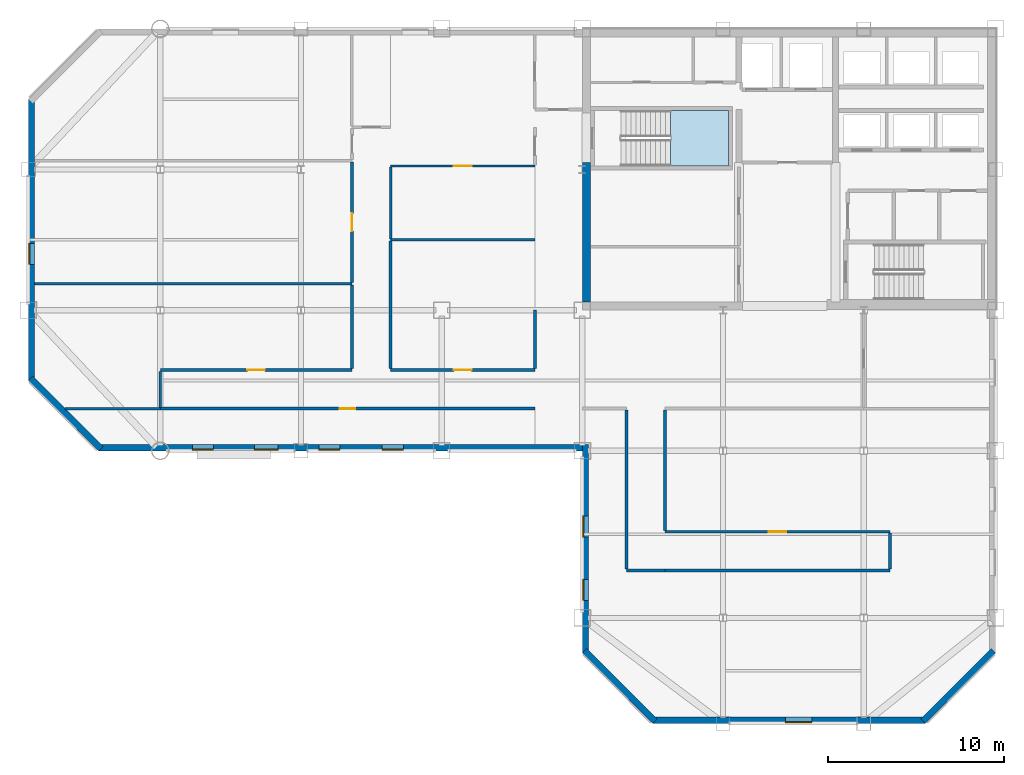
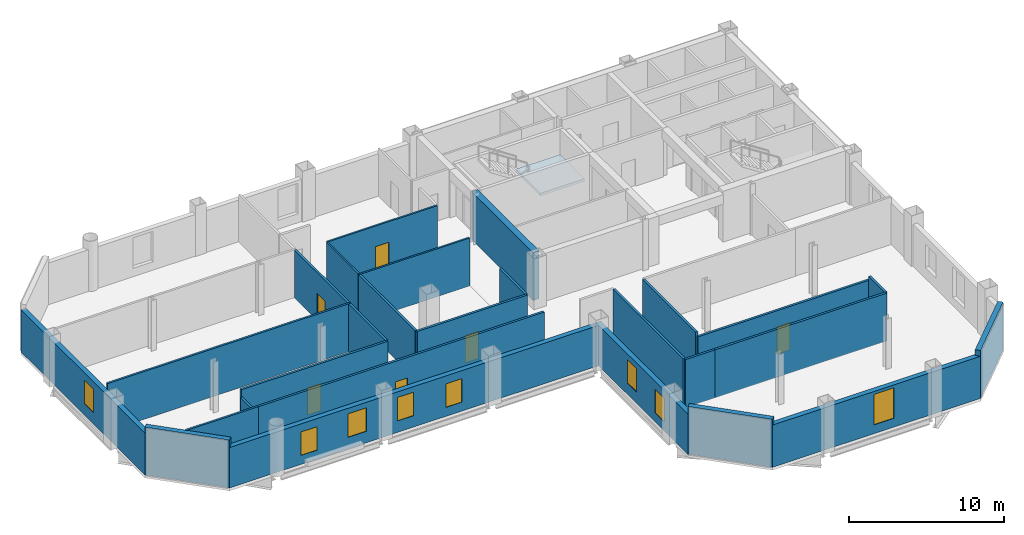
# One storey, part 4 of 10: 27 walls, 8 windows, 6 doors, 1 slab, 14 openings, 1 element without a shape of its own.
"""IFC4 building model written with IfcOpenShell, lengths in metres."""

from ifc_helpers import new_model, si_unit, direction, frame, frame_2d, origin, place, context, subcontext, project, spatial, polyline, rectangle, outline, extrude, material, layer, layer_set, type_object, element, fill, aggregate, save


model = new_model("IFC4")

# Units and contexts
model_context = context("Model", 3, precision=1e-05, world=origin(), true_north=direction((0.0, 1.0)))
body_context = subcontext(model_context, "Body", "Model", "MODEL_VIEW")
ifc_project = project(units=[si_unit("LENGTHUNIT", "METRE"), si_unit("AREAUNIT", "SQUARE_METRE"), si_unit("VOLUMEUNIT", "CUBIC_METRE"), si_unit("PLANEANGLEUNIT", "RADIAN"), si_unit("MASSUNIT", "GRAM", prefix="KILO")], contexts=[model_context])

# Site, building, storey
site_placement = place(None, origin())
site = spatial("IfcSite", under=ifc_project, at=site_placement, CompositionType="ELEMENT")
building_placement = place(site_placement, origin())
building = spatial("IfcBuilding", under=site, at=building_placement, Name="Qianrong Seaharbour Tower", CompositionType="ELEMENT")
storey_placement = place(building_placement, frame((0.0, 0.0, 257.800048828125)))
storey = spatial("IfcBuildingStorey", under=building, at=storey_placement, Name="L62", CompositionType="ELEMENT", Elevation=257.800048828125)

# Stair, slab
ifc_material_1 = material(Name="Concrete C50/60", Category="concrete")
stair_type = type_object("IfcStairType", Name="STAIR-DOGLEG-1500-R22", PredefinedType="HALF_TURN_STAIR", material=ifc_material_1)
stair_placement = place(storey_placement, origin())
stair = element("IfcStair", 1, at=stair_placement, inside=storey, type_object=stair_type, Name="L62 Protected Escape Stair ST-1", PredefinedType="HALF_TURN_STAIR")
ifc_layer_1 = layer(ifc_material_1, 0.199951171875)
ifc_layer_set_1 = layer_set([ifc_layer_1], Name="Concrete C50/60")
slab_type = type_object("IfcSlabType", Name="SLAB-STAIR-LANDING-200", PredefinedType="LANDING", material=ifc_layer_set_1)
slab_placement = place(storey_placement, frame((0.0, 0.0, 1.800048828125)))
slab = element("IfcSlab", 2, at=slab_placement, type_object=slab_type, Name="ST-1 landing 1", PredefinedType="LANDING", context=body_context, shape_type="SweptSolid", body=[
    extrude(outline(polyline([(45.5, 44.199951171875), (48.800048828125, 44.199951171875), (48.800048828125, 47.35009765625), (45.5, 47.35009765625), (45.5, 44.199951171875)])), origin(), (0.0, 0.0, 1.0), 0.199951171875),
])
aggregate(stair, [slab])

# Walls
ifc_material_2 = material(Name="Concrete C60/75", Category="concrete")
ifc_layer_2 = layer(ifc_material_2, 0.4599609375)
ifc_layer_set_2 = layer_set([ifc_layer_2], Name="Concrete C60/75")
wall_type_1 = type_object("IfcWallType", Name="WALL-CORE-460", PredefinedType="SHEAR", material=ifc_layer_set_2)
wall_1_placement = place(storey_placement, frame((40.72998046875, 36.4599609375, 0.0), z_axis=(0.0, 0.0, 1.0), x_axis=(0.0, 1.0, 0.0)))
element("IfcWall", 3, at=wall_1_placement, inside=storey, type_object=wall_type_1, Name="L62 West Core Shear Wall South", PredefinedType="SHEAR", context=body_context, shape_type="SweptSolid", body=[
    extrude(rectangle(XDim=7.93994140625, YDim=0.4599609375, at=frame_2d((3.969970703125, 0.0))), origin(), (0.0, 0.0, 1.0), 3.77490234375),
])
ifc_material_3 = material(Name="Fire-rated acoustic gypsum board partition")
ifc_layer_3 = layer(ifc_material_3, 0.1650390625)
ifc_layer_set_3 = layer_set([ifc_layer_3], Name="Fire-rated acoustic gypsum board partition")
wall_type_2 = type_object("IfcWallType", Name="WALL-CORR-PART-165", PredefinedType="PARTITIONING", material=ifc_layer_set_3)
wall_2_placement = place(storey_placement, frame((16.5, 30.474609375, 0.0), z_axis=(0.0, 0.0, 1.0), x_axis=(0.0, 1.0, 0.0)))
element("IfcWall", 4, at=wall_2_placement, inside=storey, type_object=wall_type_2, Name="L62 Interior Partition Wall 017", PredefinedType="PARTITIONING", context=body_context, shape_type="SweptSolid", body=[
    extrude(rectangle(XDim=2.05078125, YDim=0.1650390625, at=frame_2d((1.025390625, 0.0))), origin(), (0.0, 0.0, 1.0), 3.178955078125),
])

# Wall, opening, door
wall_3_placement = place(storey_placement, frame((16.5, 32.60009765625, 0.0), z_axis=(0.0, 0.0, 1.0), x_axis=(1.0, 0.0, 0.0)))
wall_3 = element("IfcWall", 5, at=wall_3_placement, inside=storey, type_object=wall_type_2, Name="L62 Interior Partition Wall 018", PredefinedType="PARTITIONING", context=body_context, shape_type="SweptSolid", body=[
    extrude(rectangle(XDim=10.89990234375, YDim=0.1650390625, at=frame_2d((5.449951171875, 0.0))), origin(), (0.0, 0.0, 1.0), 3.77490234375),
])
opening_1_placement = place(wall_3_placement, frame((4.949951171875, 0.0, 0.0)))
opening_1 = element("IfcOpeningElement", 6, at=opening_1_placement, cuts=wall_3, Name="Opening DO-01", PredefinedType="OPENING", context=body_context, shape_type="SweptSolid", body=[
    extrude(rectangle(XDim=1.0, YDim=2.14990234375, at=frame_2d((0.5, 1.074951171875))), frame((0.0, 0.092529296875, 0.0), z_axis=(0.0, -1.0, 0.0), x_axis=(1.0, 0.0, 0.0)), (0.0, 0.0, 1.0), 0.18505859375),
])
ifc_material_4 = material(Name="Acoustic timber and galvanized steel fire door assembly", Category="steel")
door_type_1 = type_object("IfcDoorType", Name="DOOR-OFFICE-1000x2150", OperationType="NOTDEFINED", PredefinedType="DOOR", material=ifc_material_4)
door_1_placement = place(opening_1_placement, origin())
door_1 = element("IfcDoor", 7, at=door_1_placement, inside=storey, type_object=door_type_1, Name="L62 Occupational Health Clinic 1 Door", OperationType="SINGLE_SWING_LEFT", OverallHeight=2.14990234375, OverallWidth=1.0, PredefinedType="DOOR", context=body_context, shape_type="SweptSolid", body=[
    extrude(rectangle(XDim=1.0, YDim=2.14990234375, at=frame_2d((0.5, 1.074951171875))), frame((0.0, 0.02490234375, 0.0), z_axis=(0.0, -1.0, 0.0), x_axis=(1.0, 0.0, 0.0)), (0.0, 0.0, 1.0), 0.050048828125),
])
fill(opening_1, door_1)

wall_4_placement = place(storey_placement, frame((29.60009765625, 32.60009765625, 0.0), z_axis=(0.0, 0.0, 1.0), x_axis=(1.0, 0.0, 0.0)))
wall_4 = element("IfcWall", 8, at=wall_4_placement, inside=storey, type_object=wall_type_2, Name="L62 Interior Partition Wall 019", PredefinedType="PARTITIONING", context=body_context, shape_type="SweptSolid", body=[
    extrude(rectangle(XDim=8.199951171875, YDim=0.1650390625, at=frame_2d((4.10009765625, 0.0))), origin(), (0.0, 0.0, 1.0), 3.77490234375),
])
opening_2_placement = place(wall_4_placement, frame((3.60009765625, 0.0, 0.0)))
opening_2 = element("IfcOpeningElement", 9, at=opening_2_placement, cuts=wall_4, Name="Opening DO-01", PredefinedType="OPENING", context=body_context, shape_type="SweptSolid", body=[
    extrude(rectangle(XDim=1.0, YDim=2.14990234375, at=frame_2d((0.5, 1.074951171875))), frame((0.0, 0.092529296875, 0.0), z_axis=(0.0, -1.0, 0.0), x_axis=(1.0, 0.0, 0.0)), (0.0, 0.0, 1.0), 0.18505859375),
])
door_2_placement = place(opening_2_placement, origin())
door_2 = element("IfcDoor", 10, at=door_2_placement, inside=storey, type_object=door_type_1, Name="L62 Medical Examination Room 1 Door", OperationType="SINGLE_SWING_LEFT", OverallHeight=2.14990234375, OverallWidth=1.0, PredefinedType="DOOR", context=body_context, shape_type="SweptSolid", body=[
    extrude(rectangle(XDim=1.0, YDim=2.14990234375, at=frame_2d((0.5, 1.074951171875))), frame((0.0, 0.02490234375, 0.0), z_axis=(0.0, -1.0, 0.0), x_axis=(1.0, 0.0, 0.0)), (0.0, 0.0, 1.0), 0.050048828125),
])
fill(opening_2, door_2)

wall_5_placement = place(storey_placement, frame((37.800048828125, 30.39990234375, 0.0), z_axis=(0.0, 0.0, 1.0), x_axis=(-1.0, 0.0, 0.0)))
wall_5 = element("IfcWall", 11, at=wall_5_placement, inside=storey, type_object=wall_type_2, Name="L62 Interior Partition Wall 020", PredefinedType="PARTITIONING", context=body_context, shape_type="SweptSolid", body=[
    extrude(rectangle(XDim=21.300048828125, YDim=0.1650390625, at=frame_2d((10.64990234375, 0.0))), origin(), (0.0, 0.0, 1.0), 3.77490234375),
])
opening_3_placement = place(wall_5_placement, frame((10.199951171875, 0.0, 0.0)))
opening_3 = element("IfcOpeningElement", 12, at=opening_3_placement, cuts=wall_5, Name="Opening DS-01", PredefinedType="OPENING", context=body_context, shape_type="SweptSolid", body=[
    extrude(rectangle(XDim=0.89990234375, YDim=2.14990234375, at=frame_2d((0.449951171875, 1.074951171875))), frame((0.0, 0.092529296875, 0.0), z_axis=(0.0, -1.0, 0.0), x_axis=(1.0, 0.0, 0.0)), (0.0, 0.0, 1.0), 0.18505859375),
])
door_type_2 = type_object("IfcDoorType", Name="DOOR-STORE-900x2150", OperationType="NOTDEFINED", PredefinedType="DOOR", material=ifc_material_4)
door_3_placement = place(opening_3_placement, origin())
door_3 = element("IfcDoor", 13, at=door_3_placement, inside=storey, type_object=door_type_2, Name="L62 Clinical Dispensary Store Door", OperationType="SINGLE_SWING_LEFT", OverallHeight=2.14990234375, OverallWidth=0.89990234375, PredefinedType="DOOR", context=body_context, shape_type="SweptSolid", body=[
    extrude(rectangle(XDim=0.89990234375, YDim=2.14990234375, at=frame_2d((0.449951171875, 1.074951171875))), frame((0.0, 0.02490234375, 0.0), z_axis=(0.0, -1.0, 0.0), x_axis=(1.0, 0.0, 0.0)), (0.0, 0.0, 1.0), 0.050048828125),
])
fill(opening_3, door_3)

# Wall
wall_6_placement = place(storey_placement, frame((27.39990234375, 32.674560546875, 0.0), z_axis=(0.0, 0.0, 1.0), x_axis=(0.0, 1.0, 0.0)))
element("IfcWall", 14, at=wall_6_placement, inside=storey, type_object=wall_type_2, Name="L62 Interior Partition Wall 021", PredefinedType="PARTITIONING", context=body_context, shape_type="SweptSolid", body=[
    extrude(rectangle(XDim=4.760986328125, YDim=0.1650390625, at=frame_2d((2.38037109375, 0.0))), origin(), (0.0, 0.0, 1.0), 3.77490234375),
])

# Wall, opening, door
wall_7_placement = place(storey_placement, frame((27.39990234375, 37.564453125, 0.0), z_axis=(0.0, 0.0, 1.0), x_axis=(0.0, 1.0, 0.0)))
wall_7 = element("IfcWall", 15, at=wall_7_placement, inside=storey, type_object=wall_type_2, Name="L62 Interior Partition Wall 022", PredefinedType="PARTITIONING", context=body_context, shape_type="SweptSolid", body=[
    extrude(rectangle(XDim=6.87109375, YDim=0.1650390625, at=frame_2d((3.435546875, 0.0))), origin(), (0.0, 0.0, 1.0), 3.77490234375),
])
opening_4_placement = place(wall_7_placement, frame((2.935546875, 0.0, 0.0)))
opening_4 = element("IfcOpeningElement", 16, at=opening_4_placement, cuts=wall_7, Name="Opening DO-01", PredefinedType="OPENING", context=body_context, shape_type="SweptSolid", body=[
    extrude(rectangle(XDim=1.0, YDim=2.14990234375, at=frame_2d((0.5, 1.074951171875))), frame((0.0, 0.092529296875, 0.0), z_axis=(0.0, -1.0, 0.0), x_axis=(1.0, 0.0, 0.0)), (0.0, 0.0, 1.0), 0.18505859375),
])
door_4_placement = place(opening_4_placement, origin())
door_4 = element("IfcDoor", 17, at=door_4_placement, inside=storey, type_object=door_type_1, Name="L62 Physiotherapy Room 2 Door", OperationType="SINGLE_SWING_RIGHT", OverallHeight=2.14990234375, OverallWidth=1.0, PredefinedType="DOOR", context=body_context, shape_type="SweptSolid", body=[
    extrude(rectangle(XDim=1.0, YDim=2.14990234375, at=frame_2d((0.5, 1.074951171875))), frame((0.0, 0.02490234375, 0.0), z_axis=(0.0, -1.0, 0.0), x_axis=(1.0, 0.0, 0.0)), (0.0, 0.0, 1.0), 0.050048828125),
])
fill(opening_4, door_4)

# Walls
wall_8_placement = place(storey_placement, frame((29.60009765625, 39.943115234375, 0.0), z_axis=(0.0, 0.0, 1.0), x_axis=(0.0, -1.0, 0.0)))
element("IfcWall", 18, at=wall_8_placement, inside=storey, type_object=wall_type_2, Name="L62 Interior Partition Wall 025", PredefinedType="PARTITIONING", context=body_context, shape_type="SweptSolid", body=[
    extrude(rectangle(XDim=7.2685546875, YDim=0.1650390625, at=frame_2d((3.63427734375, 0.0))), origin(), (0.0, 0.0, 1.0), 3.77490234375),
])
wall_9_placement = place(storey_placement, frame((37.800048828125, 32.674560546875, 0.0), z_axis=(0.0, 0.0, 1.0), x_axis=(0.0, 1.0, 0.0)))
element("IfcWall", 19, at=wall_9_placement, inside=storey, type_object=wall_type_2, Name="L62 Interior Partition Wall 031", PredefinedType="PARTITIONING", context=body_context, shape_type="SweptSolid", body=[
    extrude(rectangle(XDim=3.325439453125, YDim=0.1650390625, at=frame_2d((1.66259765625, 0.0))), origin(), (0.0, 0.0, 1.0), 3.77490234375),
])
wall_10_placement = place(storey_placement, frame((45.199951171875, 21.199951171875, 0.0), z_axis=(0.0, 0.0, 1.0), x_axis=(-1.0, 0.0, 0.0)))
element("IfcWall", 20, at=wall_10_placement, inside=storey, type_object=wall_type_2, Name="L62 Interior Partition Wall 032", PredefinedType="PARTITIONING", context=body_context, shape_type="SweptSolid", body=[
    extrude(rectangle(XDim=2.199951171875, YDim=0.1650390625, at=frame_2d((1.10009765625, 0.0))), origin(), (0.0, 0.0, 1.0), 3.77490234375),
])
wall_11_placement = place(storey_placement, frame((43.0, 21.2744140625, 0.0), z_axis=(0.0, 0.0, 1.0), x_axis=(0.0, 1.0, 0.0)))
element("IfcWall", 21, at=wall_11_placement, inside=storey, type_object=wall_type_2, Name="L62 Interior Partition Wall 033", PredefinedType="PARTITIONING", context=body_context, shape_type="SweptSolid", body=[
    extrude(rectangle(XDim=9.051025390625, YDim=0.1650390625, at=frame_2d((4.525390625, 0.0))), origin(), (0.0, 0.0, 1.0), 3.77490234375),
])
wall_12_placement = place(storey_placement, frame((45.199951171875, 30.325439453125, 0.0), z_axis=(0.0, 0.0, 1.0), x_axis=(0.0, -1.0, 0.0)))
element("IfcWall", 22, at=wall_12_placement, inside=storey, type_object=wall_type_2, Name="L62 Interior Partition Wall 034", PredefinedType="PARTITIONING", context=body_context, shape_type="SweptSolid", body=[
    extrude(rectangle(XDim=6.850830078125, YDim=0.1650390625, at=frame_2d((3.42529296875, 0.0))), origin(), (0.0, 0.0, 1.0), 3.77490234375),
])

# Wall, opening, door
wall_13_placement = place(storey_placement, frame((45.199951171875, 23.39990234375, 0.0), z_axis=(0.0, 0.0, 1.0), x_axis=(1.0, 0.0, 0.0)))
wall_13 = element("IfcWall", 23, at=wall_13_placement, inside=storey, type_object=wall_type_2, Name="L62 Interior Partition Wall 035", PredefinedType="PARTITIONING", context=body_context, shape_type="SweptSolid", body=[
    extrude(rectangle(XDim=12.800048828125, YDim=0.1650390625, at=frame_2d((6.39990234375, 0.0))), origin(), (0.0, 0.0, 1.0), 3.467041015625),
])
opening_5_placement = place(wall_13_placement, frame((5.89990234375, 0.0, 0.0)))
opening_5 = element("IfcOpeningElement", 24, at=opening_5_placement, cuts=wall_13, Name="Opening DO-01", PredefinedType="OPENING", context=body_context, shape_type="SweptSolid", body=[
    extrude(rectangle(XDim=1.0, YDim=2.14990234375, at=frame_2d((0.5, 1.074951171875))), frame((0.0, 0.092529296875, 0.0), z_axis=(0.0, -1.0, 0.0), x_axis=(1.0, 0.0, 0.0)), (0.0, 0.0, 1.0), 0.18505859375),
])
door_5_placement = place(opening_5_placement, origin())
door_5 = element("IfcDoor", 25, at=door_5_placement, inside=storey, type_object=door_type_1, Name="L62 South Tip Open-Plan Office Door", OperationType="SINGLE_SWING_LEFT", OverallHeight=2.14990234375, OverallWidth=1.0, PredefinedType="DOOR", context=body_context, shape_type="SweptSolid", body=[
    extrude(rectangle(XDim=1.0, YDim=2.14990234375, at=frame_2d((0.5, 1.074951171875))), frame((0.0, 0.02490234375, 0.0), z_axis=(0.0, -1.0, 0.0), x_axis=(1.0, 0.0, 0.0)), (0.0, 0.0, 1.0), 0.050048828125),
])
fill(opening_5, door_5)

# Walls
wall_14_placement = place(storey_placement, frame((58.0, 23.325439453125, 0.0), z_axis=(0.0, 0.0, 1.0), x_axis=(0.0, -1.0, 0.0)))
element("IfcWall", 26, at=wall_14_placement, inside=storey, type_object=wall_type_2, Name="L62 Interior Partition Wall 036", PredefinedType="PARTITIONING", context=body_context, shape_type="SweptSolid", body=[
    extrude(rectangle(XDim=2.051025390625, YDim=0.1650390625, at=frame_2d((1.025390625, 0.0))), origin(), (0.0, 0.0, 1.0), 3.77490234375),
])
wall_15_placement = place(storey_placement, frame((58.0, 21.199951171875, 0.0), z_axis=(0.0, 0.0, 1.0), x_axis=(-1.0, 0.0, 0.0)))
element("IfcWall", 27, at=wall_15_placement, inside=storey, type_object=wall_type_2, Name="L62 Interior Partition Wall 037", PredefinedType="PARTITIONING", context=body_context, shape_type="SweptSolid", body=[
    extrude(rectangle(XDim=12.800048828125, YDim=0.1650390625, at=frame_2d((6.39990234375, 0.0))), origin(), (0.0, 0.0, 1.0), 3.77490234375),
])

# Wall, openings, windows
ifc_material_5 = material(Name="Unitised red brick on Precast concrete C45/55", Category="masonry")
ifc_layer_4 = layer(ifc_material_5, 0.360107421875)
ifc_layer_set_4 = layer_set([ifc_layer_4], Name="Unitised red brick on Precast concrete C45/55")
wall_type_3 = type_object("IfcWallType", Name="WALL-EXT-BRICK-RED-360", PredefinedType="SOLIDWALL", material=ifc_layer_set_4)
wall_16_placement = place(storey_placement, frame((40.679931640625, 16.5, 0.0), z_axis=(0.0, 0.0, 1.0), x_axis=(0.0, 1.0, 0.0)))
wall_16 = element("IfcWall", 28, at=wall_16_placement, inside=storey, type_object=wall_type_3, Name="L62 Exterior Masonry Facade Wall REENTRANT_WEST", PredefinedType="SOLIDWALL", context=body_context, shape_type="SweptSolid", body=[
    extrude(rectangle(XDim=11.860107421875, YDim=0.360107421875, at=frame_2d((5.93017578125, 0.0))), origin(), (0.0, 0.0, 1.0), 3.18701171875),
])
opening_6_placement = place(wall_16_placement, frame((3.0, 0.0, 0.699951171875)))
opening_6 = element("IfcOpeningElement", 29, at=opening_6_placement, cuts=wall_16, Name="Opening WN-01", PredefinedType="OPENING", context=body_context, shape_type="SweptSolid", body=[
    extrude(rectangle(XDim=1.199951171875, YDim=1.85009765625, at=frame_2d((0.60009765625, 0.925048828125))), frame((0.0, 0.18994140625, 0.0), z_axis=(0.0, -1.0, 0.0), x_axis=(1.0, 0.0, 0.0)), (0.0, 0.0, 1.0), 0.380126953125),
])
opening_7_placement = place(wall_16_placement, frame((6.60009765625, 0.0, 0.89990234375)))
opening_7 = element("IfcOpeningElement", 30, at=opening_7_placement, cuts=wall_16, Name="Opening WN-01", PredefinedType="OPENING", context=body_context, shape_type="SweptSolid", body=[
    extrude(rectangle(XDim=1.199951171875, YDim=1.85009765625, at=frame_2d((0.60009765625, 0.925048828125))), frame((0.0, 0.18994140625, 0.0), z_axis=(0.0, -1.0, 0.0), x_axis=(1.0, 0.0, 0.0)), (0.0, 0.0, 1.0), 0.380126953125),
])
ifc_material_6 = material(Name="Insulated low-e double glazing in thermally broken aluminium 6063-T6 frame", Category="aluminium")
window_type_1 = type_object("IfcWindowType", Name="WIN-PUNCH-1200x1850", PartitioningType="DOUBLE_PANEL_VERTICAL", PredefinedType="WINDOW", material=ifc_material_6)
window_1_placement = place(opening_6_placement, origin())
window_1 = element("IfcWindow", 31, at=window_1_placement, inside=storey, type_object=window_type_1, Name="L62 Deep-Set Punched Window 00.01", OverallHeight=1.85009765625, OverallWidth=1.199951171875, PartitioningType="DOUBLE_PANEL_VERTICAL", PredefinedType="WINDOW", context=body_context, shape_type="SweptSolid", body=[
    extrude(rectangle(XDim=1.199951171875, YDim=1.85009765625, at=frame_2d((0.60009765625, 0.925048828125))), frame((0.0, 0.150146484375, 0.0), z_axis=(0.0, -1.0, 0.0), x_axis=(1.0, 0.0, 0.0)), (0.0, 0.0, 1.0), 0.06005859375),
])
fill(opening_6, window_1)
window_2_placement = place(opening_7_placement, origin())
window_2 = element("IfcWindow", 32, at=window_2_placement, inside=storey, type_object=window_type_1, Name="L62 Deep-Set Punched Window 00.02", OverallHeight=1.85009765625, OverallWidth=1.199951171875, PartitioningType="DOUBLE_PANEL_VERTICAL", PredefinedType="WINDOW", context=body_context, shape_type="SweptSolid", body=[
    extrude(rectangle(XDim=1.199951171875, YDim=1.85009765625, at=frame_2d((0.60009765625, 0.925048828125))), frame((0.0, 0.150146484375, 0.0), z_axis=(0.0, -1.0, 0.0), x_axis=(1.0, 0.0, 0.0)), (0.0, 0.0, 1.0), 0.06005859375),
])
fill(opening_7, window_2)

wall_17_placement = place(storey_placement, frame((40.52001953125, 28.179931640625, 0.0), z_axis=(0.0, 0.0, 1.0), x_axis=(-1.0, 0.0, 0.0)))
wall_17 = element("IfcWall", 33, at=wall_17_placement, inside=storey, type_object=wall_type_3, Name="L62 Exterior Masonry Facade Wall HARBOUR_RIBBON", PredefinedType="SOLIDWALL", context=body_context, shape_type="SweptSolid", body=[
    extrude(rectangle(XDim=27.52001953125, YDim=0.360107421875, at=frame_2d((13.760009765625, 0.0))), origin(), (0.0, 0.0, 1.0), 3.18701171875),
])
opening_8_placement = place(wall_17_placement, frame((10.199951171875, 0.0, 0.699951171875)))
opening_8 = element("IfcOpeningElement", 34, at=opening_8_placement, cuts=wall_17, Name="Opening WN-01", PredefinedType="OPENING", context=body_context, shape_type="SweptSolid", body=[
    extrude(rectangle(XDim=1.199951171875, YDim=1.85009765625, at=frame_2d((0.60009765625, 0.925048828125))), frame((0.0, 0.18994140625, 0.0), z_axis=(0.0, -1.0, 0.0), x_axis=(1.0, 0.0, 0.0)), (0.0, 0.0, 1.0), 0.380126953125),
])
opening_9_placement = place(wall_17_placement, frame((13.800048828125, 0.0, 0.89990234375)))
opening_9 = element("IfcOpeningElement", 35, at=opening_9_placement, cuts=wall_17, Name="Opening WN-01", PredefinedType="OPENING", context=body_context, shape_type="SweptSolid", body=[
    extrude(rectangle(XDim=1.199951171875, YDim=1.85009765625, at=frame_2d((0.60009765625, 0.925048828125))), frame((0.0, 0.18994140625, 0.0), z_axis=(0.0, -1.0, 0.0), x_axis=(1.0, 0.0, 0.0)), (0.0, 0.0, 1.0), 0.380126953125),
])
opening_10_placement = place(wall_17_placement, frame((17.324951171875, 0.0, 0.89990234375)))
opening_10 = element("IfcOpeningElement", 36, at=opening_10_placement, cuts=wall_17, Name="Opening WN-02", PredefinedType="OPENING", context=body_context, shape_type="SweptSolid", body=[
    extrude(rectangle(XDim=1.35009765625, YDim=1.85009765625, at=frame_2d((0.675048828125, 0.925048828125))), frame((0.0, 0.18994140625, 0.0), z_axis=(0.0, -1.0, 0.0), x_axis=(1.0, 0.0, 0.0)), (0.0, 0.0, 1.0), 0.380126953125),
])
opening_11_placement = place(wall_17_placement, frame((21.0, 0.0, 0.699951171875)))
opening_11 = element("IfcOpeningElement", 37, at=opening_11_placement, cuts=wall_17, Name="Opening WN-01", PredefinedType="OPENING", context=body_context, shape_type="SweptSolid", body=[
    extrude(rectangle(XDim=1.199951171875, YDim=1.85009765625, at=frame_2d((0.60009765625, 0.925048828125))), frame((0.0, 0.18994140625, 0.0), z_axis=(0.0, -1.0, 0.0), x_axis=(1.0, 0.0, 0.0)), (0.0, 0.0, 1.0), 0.380126953125),
])
window_3_placement = place(opening_8_placement, origin())
window_3 = element("IfcWindow", 38, at=window_3_placement, inside=storey, type_object=window_type_1, Name="L62 Deep-Set Punched Window 01.03", OverallHeight=1.85009765625, OverallWidth=1.199951171875, PartitioningType="DOUBLE_PANEL_VERTICAL", PredefinedType="WINDOW", context=body_context, shape_type="SweptSolid", body=[
    extrude(rectangle(XDim=1.199951171875, YDim=1.85009765625, at=frame_2d((0.60009765625, 0.925048828125))), frame((0.0, 0.150146484375, 0.0), z_axis=(0.0, -1.0, 0.0), x_axis=(1.0, 0.0, 0.0)), (0.0, 0.0, 1.0), 0.06005859375),
])
fill(opening_8, window_3)
window_4_placement = place(opening_9_placement, origin())
window_4 = element("IfcWindow", 39, at=window_4_placement, inside=storey, type_object=window_type_1, Name="L62 Deep-Set Punched Window 01.04", OverallHeight=1.85009765625, OverallWidth=1.199951171875, PartitioningType="DOUBLE_PANEL_VERTICAL", PredefinedType="WINDOW", context=body_context, shape_type="SweptSolid", body=[
    extrude(rectangle(XDim=1.199951171875, YDim=1.85009765625, at=frame_2d((0.60009765625, 0.925048828125))), frame((0.0, 0.150146484375, 0.0), z_axis=(0.0, -1.0, 0.0), x_axis=(1.0, 0.0, 0.0)), (0.0, 0.0, 1.0), 0.06005859375),
])
fill(opening_9, window_4)
window_5_placement = place(opening_11_placement, origin())
window_5 = element("IfcWindow", 40, at=window_5_placement, inside=storey, type_object=window_type_1, Name="L62 Deep-Set Punched Window 01.06", OverallHeight=1.85009765625, OverallWidth=1.199951171875, PartitioningType="DOUBLE_PANEL_VERTICAL", PredefinedType="WINDOW", context=body_context, shape_type="SweptSolid", body=[
    extrude(rectangle(XDim=1.199951171875, YDim=1.85009765625, at=frame_2d((0.60009765625, 0.925048828125))), frame((0.0, 0.150146484375, 0.0), z_axis=(0.0, -1.0, 0.0), x_axis=(1.0, 0.0, 0.0)), (0.0, 0.0, 1.0), 0.06005859375),
])
fill(opening_11, window_5)
window_type_2 = type_object("IfcWindowType", Name="WIN-PUNCH-1350x1850", PartitioningType="DOUBLE_PANEL_VERTICAL", PredefinedType="WINDOW", material=ifc_material_6)
window_6_placement = place(opening_10_placement, origin())
window_6 = element("IfcWindow", 41, at=window_6_placement, inside=storey, type_object=window_type_2, Name="L62 Deep-Set Punched Window 01.05", OverallHeight=1.85009765625, OverallWidth=1.35009765625, PartitioningType="DOUBLE_PANEL_VERTICAL", PredefinedType="WINDOW", context=body_context, shape_type="SweptSolid", body=[
    extrude(rectangle(XDim=1.35009765625, YDim=1.85009765625, at=frame_2d((0.675048828125, 0.925048828125))), frame((0.0, 0.150146484375, 0.0), z_axis=(0.0, -1.0, 0.0), x_axis=(1.0, 0.0, 0.0)), (0.0, 0.0, 1.0), 0.06005859375),
])
fill(opening_10, window_6)

# Wall
wall_18_placement = place(storey_placement, frame((13.127197265625, 28.127197265625, 0.0), z_axis=(0.0, 0.0, 1.0), x_axis=(-0.707106781187, 0.707106781187, 0.0)))
element("IfcWall", 42, at=wall_18_placement, inside=storey, type_object=wall_type_3, Name="L62 Exterior Masonry Facade Wall E02", PredefinedType="SOLIDWALL", context=body_context, shape_type="SweptSolid", body=[
    extrude(rectangle(XDim=5.65673828125, YDim=0.360107421875, at=frame_2d((2.828369140625, 0.0))), origin(), (0.0, 0.0, 1.0), 3.77490234375),
])

# Wall, opening, window
wall_19_placement = place(storey_placement, frame((9.179931640625, 32.0, 0.0), z_axis=(0.0, 0.0, 1.0), x_axis=(0.0, 1.0, 0.0)))
wall_19 = element("IfcWall", 43, at=wall_19_placement, inside=storey, type_object=wall_type_3, Name="L62 Exterior Masonry Facade Wall WEST_TIP", PredefinedType="SOLIDWALL", context=body_context, shape_type="SweptSolid", body=[
    extrude(rectangle(XDim=16.0, YDim=0.360107421875, at=frame_2d((8.0, 0.0))), origin(), (0.0, 0.0, 1.0), 3.324951171875),
])
opening_12_placement = place(wall_19_placement, frame((6.60009765625, 0.0, 0.89990234375)))
opening_12 = element("IfcOpeningElement", 44, at=opening_12_placement, cuts=wall_19, Name="Opening WN-01", PredefinedType="OPENING", context=body_context, shape_type="SweptSolid", body=[
    extrude(rectangle(XDim=1.199951171875, YDim=1.85009765625, at=frame_2d((0.60009765625, 0.925048828125))), frame((0.0, 0.18994140625, 0.0), z_axis=(0.0, -1.0, 0.0), x_axis=(1.0, 0.0, 0.0)), (0.0, 0.0, 1.0), 0.380126953125),
])
window_7_placement = place(opening_12_placement, origin())
window_7 = element("IfcWindow", 45, at=window_7_placement, inside=storey, type_object=window_type_1, Name="L62 Deep-Set Punched Window 03.02", OverallHeight=1.85009765625, OverallWidth=1.199951171875, PartitioningType="DOUBLE_PANEL_VERTICAL", PredefinedType="WINDOW", context=body_context, shape_type="SweptSolid", body=[
    extrude(rectangle(XDim=1.199951171875, YDim=1.85009765625, at=frame_2d((0.60009765625, 0.925048828125))), frame((0.0, 0.150146484375, 0.0), z_axis=(0.0, -1.0, 0.0), x_axis=(1.0, 0.0, 0.0)), (0.0, 0.0, 1.0), 0.06005859375),
])
fill(opening_12, window_7)

# Wall
wall_20_placement = place(storey_placement, frame((63.872802734375, 16.627197265625, 0.0), z_axis=(0.0, 0.0, 1.0), x_axis=(-0.707106781187, -0.707106781187, 0.0)))
element("IfcWall", 46, at=wall_20_placement, inside=storey, type_object=wall_type_3, Name="L62 Exterior Masonry Facade Wall E07", PredefinedType="SOLIDWALL", context=body_context, shape_type="SweptSolid", body=[
    extrude(rectangle(XDim=5.65673828125, YDim=0.360107421875, at=frame_2d((2.828369140625, 0.0))), origin(), (0.0, 0.0, 1.0), 3.77490234375),
])

# Wall, opening, window
wall_21_placement = place(storey_placement, frame((60.0, 12.679931640625, 0.0), z_axis=(0.0, 0.0, 1.0), x_axis=(-1.0, 0.0, 0.0)))
wall_21 = element("IfcWall", 47, at=wall_21_placement, inside=storey, type_object=wall_type_3, Name="L62 Exterior Masonry Facade Wall SOUTH_TIP", PredefinedType="SOLIDWALL", context=body_context, shape_type="SweptSolid", body=[
    extrude(rectangle(XDim=15.5, YDim=0.360107421875, at=frame_2d((7.75, 0.0))), origin(), (0.0, 0.0, 1.0), 3.324951171875),
])
opening_13_placement = place(wall_21_placement, frame((6.449951171875, 0.0, 0.699951171875)))
opening_13 = element("IfcOpeningElement", 48, at=opening_13_placement, cuts=wall_21, Name="Opening WN-08", PredefinedType="OPENING", context=body_context, shape_type="SweptSolid", body=[
    extrude(rectangle(XDim=1.5, YDim=2.39990234375, at=frame_2d((0.75, 1.199951171875))), frame((0.0, 0.18994140625, 0.0), z_axis=(0.0, -1.0, 0.0), x_axis=(1.0, 0.0, 0.0)), (0.0, 0.0, 1.0), 0.380126953125),
])
window_type_3 = type_object("IfcWindowType", Name="WIN-PUNCH-1500x2400", PartitioningType="DOUBLE_PANEL_HORIZONTAL", PredefinedType="WINDOW", material=ifc_material_6)
window_8_placement = place(opening_13_placement, origin())
window_8 = element("IfcWindow", 49, at=window_8_placement, inside=storey, type_object=window_type_3, Name="L62 Deep-Set Punched Window 08.02", OverallHeight=2.39990234375, OverallWidth=1.5, PartitioningType="DOUBLE_PANEL_HORIZONTAL", PredefinedType="WINDOW", context=body_context, shape_type="SweptSolid", body=[
    extrude(rectangle(XDim=1.5, YDim=2.39990234375, at=frame_2d((0.75, 1.199951171875))), frame((0.0, 0.150146484375, 0.0), z_axis=(0.0, -1.0, 0.0), x_axis=(1.0, 0.0, 0.0)), (0.0, 0.0, 1.0), 0.06005859375),
])
fill(opening_13, window_8)

# Walls
wall_22_placement = place(storey_placement, frame((44.627197265625, 12.627197265625, 0.0), z_axis=(0.0, 0.0, 1.0), x_axis=(-0.707106781187, 0.707106781187, 0.0)))
element("IfcWall", 50, at=wall_22_placement, inside=storey, type_object=wall_type_3, Name="L62 Exterior Masonry Facade Wall E09", PredefinedType="SOLIDWALL", context=body_context, shape_type="SweptSolid", body=[
    extrude(rectangle(XDim=5.65673828125, YDim=0.360107421875, at=frame_2d((2.828369140625, 0.0))), origin(), (0.0, 0.0, 1.0), 3.77490234375),
])
ifc_material_7 = material(Name="Acoustic gypsum board stud partition")
ifc_layer_5 = layer(ifc_material_7, 0.14501953125)
ifc_layer_set_5 = layer_set([ifc_layer_5], Name="Acoustic gypsum board stud partition")
wall_type_4 = type_object("IfcWallType", Name="WALL-OFFICE-PART-145", PredefinedType="PARTITIONING", material=ifc_layer_set_5)
wall_23_placement = place(storey_placement, frame((9.35205078125, 37.5, 0.0), z_axis=(0.0, 0.0, 1.0), x_axis=(1.0, 0.0, 0.0)))
element("IfcWall", 51, at=wall_23_placement, inside=storey, type_object=wall_type_4, Name="L62 Interior Partition Wall 039", PredefinedType="PARTITIONING", context=body_context, shape_type="SweptSolid", body=[
    extrude(rectangle(XDim=18.0478515625, YDim=0.14501953125, at=frame_2d((9.02392578125, 0.0))), origin(), (0.0, 0.0, 1.0), 3.77490234375),
])
wall_24_placement = place(storey_placement, frame((16.5, 30.39990234375, 0.0), z_axis=(0.0, 0.0, 1.0), x_axis=(-1.0, 0.0, 0.0)))
element("IfcWall", 52, at=wall_24_placement, inside=storey, type_object=wall_type_4, Name="L62 Interior Partition Wall 040", PredefinedType="PARTITIONING", context=body_context, shape_type="SweptSolid", body=[
    extrude(rectangle(XDim=5.402099609375, YDim=0.14501953125, at=frame_2d((2.701171875, 0.0))), origin(), (0.0, 0.0, 1.0), 3.77490234375),
])
ifc_material_8 = material(Name="Water-resistant cement board sanitary partition")
ifc_layer_6 = layer(ifc_material_8, 0.1298828125)
ifc_layer_set_6 = layer_set([ifc_layer_6], Name="Water-resistant cement board sanitary partition")
wall_type_5 = type_object("IfcWallType", Name="WALL-WET-PART-130", PredefinedType="PARTITIONING", material=ifc_layer_set_6)
wall_25_placement = place(storey_placement, frame((29.60009765625, 44.14306640625, 0.0), z_axis=(0.0, 0.0, 1.0), x_axis=(0.0, -1.0, 0.0)))
element("IfcWall", 53, at=wall_25_placement, inside=storey, type_object=wall_type_5, Name="L62 Interior Partition Wall 026", PredefinedType="PARTITIONING", context=body_context, shape_type="SweptSolid", body=[
    extrude(rectangle(XDim=4.086181640625, YDim=0.1298828125, at=frame_2d((2.04296875, 0.0))), origin(), (0.0, 0.0, 1.0), 3.77490234375),
])

# Wall, opening, door
wall_26_placement = place(storey_placement, frame((37.800048828125, 44.199951171875, 0.0), z_axis=(0.0, 0.0, 1.0), x_axis=(-1.0, 0.0, 0.0)))
wall_26 = element("IfcWall", 54, at=wall_26_placement, inside=storey, type_object=wall_type_5, Name="L62 Interior Partition Wall 027", PredefinedType="PARTITIONING", context=body_context, shape_type="SweptSolid", body=[
    extrude(rectangle(XDim=8.199951171875, YDim=0.1298828125, at=frame_2d((4.10009765625, 0.0))), origin(), (0.0, 0.0, 1.0), 3.77490234375),
])
opening_14_placement = place(wall_26_placement, frame((3.60009765625, 0.0, 0.0)))
opening_14 = element("IfcOpeningElement", 55, at=opening_14_placement, cuts=wall_26, Name="Opening DO-01", PredefinedType="OPENING", context=body_context, shape_type="SweptSolid", body=[
    extrude(rectangle(XDim=1.0, YDim=2.14990234375, at=frame_2d((0.5, 1.074951171875))), frame((0.0, 0.074951171875, 0.0), z_axis=(0.0, -1.0, 0.0), x_axis=(1.0, 0.0, 0.0)), (0.0, 0.0, 1.0), 0.14990234375),
])
door_6_placement = place(opening_14_placement, origin())
door_6 = element("IfcDoor", 56, at=door_6_placement, inside=storey, type_object=door_type_1, Name="L62 Wet Pantry 2 Door", OperationType="SINGLE_SWING_RIGHT", OverallHeight=2.14990234375, OverallWidth=1.0, PredefinedType="DOOR", context=body_context, shape_type="SweptSolid", body=[
    extrude(rectangle(XDim=1.0, YDim=2.14990234375, at=frame_2d((0.5, 1.074951171875))), frame((0.0, 0.02490234375, 0.0), z_axis=(0.0, -1.0, 0.0), x_axis=(1.0, 0.0, 0.0)), (0.0, 0.0, 1.0), 0.050048828125),
])
fill(opening_14, door_6)

# Wall
wall_27_placement = place(storey_placement, frame((29.60009765625, 40.0, 0.0), z_axis=(0.0, 0.0, 1.0), x_axis=(1.0, 0.0, 0.0)))
element("IfcWall", 57, at=wall_27_placement, inside=storey, type_object=wall_type_5, Name="L62 Interior Partition Wall 043", PredefinedType="PARTITIONING", context=body_context, shape_type="SweptSolid", body=[
    extrude(rectangle(XDim=8.199951171875, YDim=0.1298828125, at=frame_2d((4.10009765625, 0.0))), origin(), (0.0, 0.0, 1.0), 3.77490234375),
])

save(model, "model.ifc")
